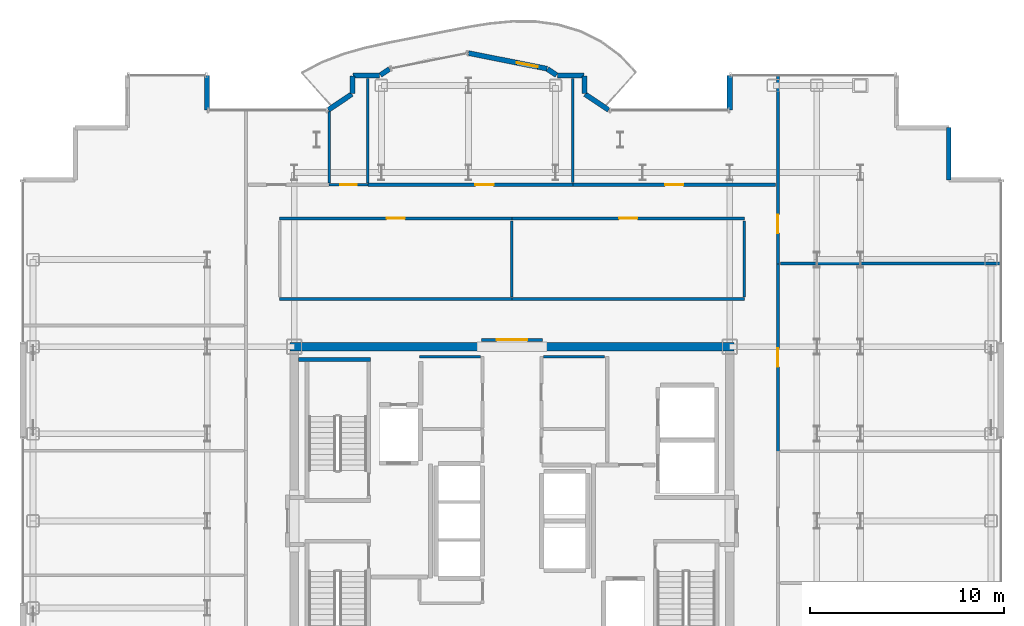
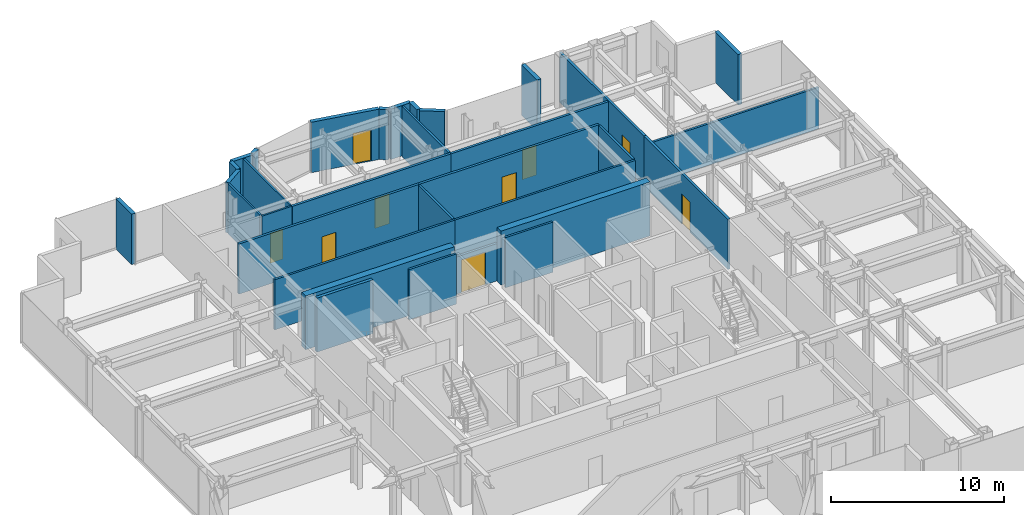
# One storey, part 19 of 22: 33 walls, 9 doors, 9 openings.
"""IFC4 building model written with IfcOpenShell, lengths in metres."""

import ifcopenshell
import ifcopenshell.guid

model = None  # the IFC model being written
_history = None  # IfcOwnerHistory: only IFC2X3 demands one
_inside = {}  # id of a spatial element -> (the spatial element, [elements in it])
_under = {}  # id of a project, library or spatial element -> (it, [spatial elements below it])
_declared = {}  # id of a project -> (the project, [libraries it declares])
_typed = {}  # id of a type object -> (the type object, [elements of that type])
_made_of = {}  # id of a material, layer set ... -> (it, [elements and type objects made of it])


def new_model(schema):
    """Start an empty IFC model of exactly this schema.

    Asked for "IFC4X3", IfcOpenShell would pick the latest addendum, in which some entities
    have other attributes; the version numbers below select the first issue.
    IFC2X3 requires an IfcOwnerHistory on every rooted entity: one is made here for all.
    """
    global model, _history
    if schema == "IFC4X3":
        model = ifcopenshell.file(schema_version=(4, 3, 0, 0))
    else:
        model = ifcopenshell.file(schema=schema)
    _inside.clear()
    _under.clear()
    _declared.clear()
    _typed.clear()
    _made_of.clear()
    _history = None
    if model.schema == "IFC2X3":
        org = make("IfcOrganization", Name="unknown")
        user = make(
            "IfcPersonAndOrganization",
            ThePerson=make("IfcPerson", FamilyName="unknown"),
            TheOrganization=org,
        )
        app = make(
            "IfcApplication",
            ApplicationDeveloper=org,
            Version="unknown",
            ApplicationFullName="unknown",
            ApplicationIdentifier="unknown",
        )
        _history = make(
            "IfcOwnerHistory",
            OwningUser=user,
            OwningApplication=app,
            ChangeAction="ADDED",
            CreationDate=0,
        )
    return model


def make(cls, **values):
    """One entity of the class cls with the attributes given. An attribute that is None is left unset."""
    return model.create_entity(
        cls, **{name: value for name, value in values.items() if value is not None}
    )


def rooted(cls, **values):
    """An entity with a GlobalId (a new one), such as an element, a storey or a relation."""
    return make(cls, GlobalId=ifcopenshell.guid.new(), OwnerHistory=_history, **values)


def si_unit(unit_type, name, prefix=None):
    """IfcSIUnit, for example si_unit("LENGTHUNIT", "METRE", prefix="MILLI")."""
    return make("IfcSIUnit", UnitType=unit_type, Prefix=prefix, Name=name)


def assignment(units):
    """IfcUnitAssignment: the units of a project."""
    return None if units is None else make("IfcUnitAssignment", Units=units)


def point(xyz):
    """IfcCartesianPoint."""
    return None if xyz is None else make("IfcCartesianPoint", Coordinates=xyz)


def direction(xyz):
    """IfcDirection."""
    return None if xyz is None else make("IfcDirection", DirectionRatios=xyz)


def frame(location, z_axis=None, x_axis=None):
    """IfcAxis2Placement3D, a coordinate frame: its origin and axes. An axis left out is left unset."""
    return make(
        "IfcAxis2Placement3D",
        Location=point(location),
        Axis=direction(z_axis),
        RefDirection=direction(x_axis),
    )


def frame_2d(location, x_axis=None):
    """IfcAxis2Placement2D, a coordinate frame in the plane: its origin and x axis."""
    return make(
        "IfcAxis2Placement2D", Location=point(location), RefDirection=direction(x_axis)
    )


def origin():
    """The frame at (0, 0, 0) with its axes left unset."""
    return frame((0.0, 0.0, 0.0))


def place(relative_to, where):
    """IfcLocalPlacement: puts the frame where relative to a parent placement (None: the world)."""
    return make(
        "IfcLocalPlacement", PlacementRelTo=relative_to, RelativePlacement=where
    )


def context(
    kind, dimensions, precision=None, world=None, true_north=None, identifier=None
):
    """IfcGeometricRepresentationContext, for example the 3D "Model" context."""
    return make(
        "IfcGeometricRepresentationContext",
        ContextIdentifier=identifier,
        ContextType=kind,
        CoordinateSpaceDimension=dimensions,
        Precision=precision,
        WorldCoordinateSystem=world,
        TrueNorth=true_north,
    )


def subcontext(parent, identifier, kind, view, scale=None):
    """IfcGeometricRepresentationSubContext, for example "Body" below "Model"."""
    return make(
        "IfcGeometricRepresentationSubContext",
        ContextIdentifier=identifier,
        ContextType=kind,
        ParentContext=parent,
        TargetScale=scale,
        TargetView=view,
    )


def project(units=None, contexts=None):
    """IfcProject with its units and contexts."""
    return rooted(
        "IfcProject",
        Name="project",
        RepresentationContexts=contexts,
        UnitsInContext=assignment(units),
    )


def spatial(cls, under=None, at=None, **own):
    """A site, building, storey or space (cls), placed at a placement, below another one or the project."""
    s = rooted(cls, ObjectPlacement=at, **own)
    if under is not None:
        _under.setdefault(under.id(), (under, []))[1].append(s)
    return s


def profile(cls, at=None, kind="AREA", **sizes):
    """A parametric profile (cls). Its sizes go by their IFC names, for example OverallWidth=200.0."""
    return make(cls, ProfileType=kind, Position=at, **sizes)


def rectangle(**sizes):
    """IfcRectangleProfileDef."""
    return profile("IfcRectangleProfileDef", **sizes)


def extrude(swept, where, along, depth):
    """IfcExtrudedAreaSolid: the profile swept, set in the frame where, extruded along a direction by depth."""
    return make(
        "IfcExtrudedAreaSolid",
        SweptArea=swept,
        Position=where,
        ExtrudedDirection=direction(along),
        Depth=depth,
    )


def shape(context_of_items, identifier, shape_type, items):
    """IfcShapeRepresentation: the items that make up one representation, for example the "Body"."""
    return make(
        "IfcShapeRepresentation",
        ContextOfItems=context_of_items,
        RepresentationIdentifier=identifier,
        RepresentationType=shape_type,
        Items=items,
    )


def source(mapping_origin, context_of_items, identifier, shape_type, items):
    """IfcRepresentationMap: a shape defined once, which mapped items show again and again."""
    return make(
        "IfcRepresentationMap",
        MappingOrigin=mapping_origin,
        MappedRepresentation=shape(context_of_items, identifier, shape_type, items),
    )


def transform(
    local_origin,
    x_axis=None,
    y_axis=None,
    z_axis=None,
    scale=None,
    scale2=None,
    scale3=None,
    uniform=True,
):
    """IfcCartesianTransformationOperator3D, or its non-uniform kind. x_axis, y_axis, z_axis: its Axis1, 2, 3."""
    if uniform:
        return make(
            "IfcCartesianTransformationOperator3D",
            Axis1=direction(x_axis),
            Axis2=direction(y_axis),
            LocalOrigin=point(local_origin),
            Scale=scale,
            Axis3=direction(z_axis),
        )
    return make(
        "IfcCartesianTransformationOperator3DnonUniform",
        Axis1=direction(x_axis),
        Axis2=direction(y_axis),
        LocalOrigin=point(local_origin),
        Scale=scale,
        Axis3=direction(z_axis),
        Scale2=scale2,
        Scale3=scale3,
    )


def mapped(mapping_source, mapping_target):
    """IfcMappedItem: shows the shape of a source again, moved by a transform."""
    return make(
        "IfcMappedItem", MappingSource=mapping_source, MappingTarget=mapping_target
    )


def material(Name=None, Category=None):
    """IfcMaterial."""
    return make("IfcMaterial", Name=Name, Category=Category)


def layer(
    of_material, thickness, ventilated=None, Name=None, Category=None, Priority=None
):
    """IfcMaterialLayer: one layer of a wall or slab, of a material (None: an air gap)."""
    return make(
        "IfcMaterialLayer",
        Material=of_material,
        LayerThickness=thickness,
        IsVentilated=ventilated,
        Name=Name,
        Category=Category,
        Priority=Priority,
    )


def layer_set(layers, Name=None):
    """IfcMaterialLayerSet."""
    return make("IfcMaterialLayerSet", MaterialLayers=layers, LayerSetName=Name)


def made_of(thing, what):
    """Note that an element or type object is made of a material, layer set ...; save() writes the relation."""
    if what is not None:
        _made_of.setdefault(what.id(), (what, []))[1].append(thing)
    return thing


def type_object(cls, material=None, **own):
    """A type object (cls), such as IfcWallType, which elements share."""
    return made_of(rooted(cls, **own), material)


def element(
    cls,
    number,
    at=None,
    inside=None,
    cuts=None,
    type_object=None,
    material=None,
    context=None,
    identifier="Body",
    shape_type=None,
    held_by="IfcProductDefinitionShape",
    body=None,
    shapes=None,
    **own,
):
    """One element of the class cls, such as IfcWall. Its Tag is "e" and its number.

    at: its placement. inside: the storey or other place that contains it. cuts: it is an
    opening in that element (IfcRelVoidsElement). A single representation is given by context,
    identifier, shape_type and body (its items); several are given by shapes. held_by: the class
    of the entity that holds the representations. save() writes the other relations.
    """
    e = rooted(cls, Tag="e%d" % number, ObjectPlacement=at, **own)
    if body is not None:
        shapes = [shape(context, identifier, shape_type, body)]
    if shapes is not None:
        e.Representation = make(held_by, Representations=shapes)
    if inside is not None:
        _inside.setdefault(inside.id(), (inside, []))[1].append(e)
    if cuts is not None:
        rooted(
            "IfcRelVoidsElement", RelatingBuildingElement=cuts, RelatedOpeningElement=e
        )
    if type_object is not None:
        _typed.setdefault(type_object.id(), (type_object, []))[1].append(e)
    return made_of(e, material)


def fill(opening, filler):
    """IfcRelFillsElement: the door or window that sits in an opening."""
    return rooted(
        "IfcRelFillsElement",
        RelatingOpeningElement=opening,
        RelatedBuildingElement=filler,
    )


def aggregate(whole, parts):
    """IfcRelAggregates: a whole, such as a stair, and the parts it consists of."""
    return rooted("IfcRelAggregates", RelatingObject=whole, RelatedObjects=parts)


def save(model, path):
    """Write the relations noted so far, then the file.

    IfcRelAggregates (storeys below a building ...), IfcRelContainedInSpatialStructure (elements
    in a storey), IfcRelDefinesByType, IfcRelAssociatesMaterial and IfcRelDeclares: one each for
    every whole, place, type object, material and project.
    """
    for whole, parts in _under.values():
        aggregate(whole, parts)
    for where, things in _inside.values():
        rooted(
            "IfcRelContainedInSpatialStructure",
            RelatedElements=things,
            RelatingStructure=where,
        )
    for kind, things in _typed.values():
        rooted("IfcRelDefinesByType", RelatedObjects=things, RelatingType=kind)
    for what, things in _made_of.values():
        rooted("IfcRelAssociatesMaterial", RelatedObjects=things, RelatingMaterial=what)
    for by, libraries in _declared.values():
        rooted("IfcRelDeclares", RelatingContext=by, RelatedDefinitions=libraries)
    model.write(path)


model = new_model("IFC4")

# Units and contexts
model_context = context("Model", 3, precision=1e-05, world=origin(), true_north=direction((0.0, 1.0)))
body_context = subcontext(model_context, "Body", "Model", "MODEL_VIEW")
ifc_project = project(units=[si_unit("LENGTHUNIT", "METRE"), si_unit("AREAUNIT", "SQUARE_METRE"), si_unit("VOLUMEUNIT", "CUBIC_METRE"), si_unit("PLANEANGLEUNIT", "RADIAN"), si_unit("MASSUNIT", "GRAM", prefix="KILO")], contexts=[model_context])

# Site, building, storey
site_placement = place(None, origin())
site = spatial("IfcSite", under=ifc_project, at=site_placement, CompositionType="ELEMENT")
building_placement = place(site_placement, origin())
building = spatial("IfcBuilding", under=site, at=building_placement, Name="Nefas-Gora Pilgrimage Tower", CompositionType="ELEMENT")
storey_placement = place(building_placement, frame((0.0, 0.0, 218.0)))
storey = spatial("IfcBuildingStorey", under=building, at=storey_placement, Name="L54", CompositionType="ELEMENT", Elevation=218.0)

# Walls
ifc_material_1 = material(Name="Concrete C50/60", Category="concrete")
ifc_layer_1 = layer(ifc_material_1, 0.449951171875)
ifc_layer_set_1 = layer_set([ifc_layer_1], Name="Concrete C50/60")
wall_type_1 = type_object("IfcWallType", Name="SW-CORE-450", PredefinedType="SHEAR", material=ifc_layer_set_1)
shared_shape_1 = source(origin(), body_context, "Body", "SweptSolid", [
    extrude(rectangle(XDim=9.925048828125, YDim=0.449951171875, at=frame_2d((4.96240234375, 0.0))), origin(), (0.0, 0.0, 1.0), 3.800048828125),
])
for number, where, z_axis, x_axis, name in (
    (1, (-11.47509765625, 9.0, 0.0), (0.0, 0.0, 1.0), (1.0, 0.0, 0.0), "L54 Core Shear Wall N-West"),
    (2, (1.550048828125, 9.0, 0.0), (0.0, 0.0, 1.0), (1.0, 0.0, 0.0), "L54 Core Shear Wall N-East"),
):
    element("IfcWall", number, at=place(storey_placement, frame(where, z_axis=z_axis, x_axis=x_axis)), inside=storey, type_object=wall_type_1, Name=name, PredefinedType="SHEAR", context=body_context, shape_type="MappedRepresentation", body=[
        mapped(shared_shape_1, transform((0.0, 0.0, 0.0), x_axis=(1.0, 0.0, 0.0), y_axis=(0.0, 1.0, 0.0), z_axis=(0.0, 0.0, 1.0), scale=1.0)),
    ])
ifc_material_2 = material(Name="Precast concrete C40/50", Category="concrete")
ifc_layer_2 = layer(ifc_material_2, 0.260009765625)
ifc_layer_set_2 = layer_set([ifc_layer_2], Name="Precast concrete C40/50")
wall_type_2 = type_object("IfcWallType", Name="EW-PORTAL-260", PredefinedType="SOLIDWALL", material=ifc_layer_set_2)
shared_shape_2 = source(origin(), body_context, "Body", "SweptSolid", [
    extrude(rectangle(XDim=1.800048828125, YDim=0.260009765625, at=frame_2d((0.89990234375, 0.0))), origin(), (0.0, 0.0, 1.0), 3.550048828125),
])
for number, where, z_axis, x_axis, name in (
    (3, (11.25, 23.02001953125, 0.0), (0.0, 0.0, 1.0), (0.0, -1.0, 0.0), "L54 Lobe Shoulder Precast Spandrel Pier 14"),
    (4, (-15.75, 21.219970703125, 0.0), (0.0, 0.0, 1.0), (0.0, 1.0, 0.0), "L54 Lobe Shoulder Precast Spandrel Pier 24"),
):
    element("IfcWall", number, at=place(storey_placement, frame(where, z_axis=z_axis, x_axis=x_axis)), inside=storey, type_object=wall_type_2, Name=name, PredefinedType="SOLIDWALL", context=body_context, shape_type="MappedRepresentation", body=[
        mapped(shared_shape_2, transform((0.0, 0.0, 0.0), x_axis=(1.0, 0.0, 0.0), y_axis=(0.0, 1.0, 0.0), z_axis=(0.0, 0.0, 1.0), scale=1.0)),
    ])
ifc_material_3 = material(Name="Precast concrete C45/55", Category="concrete")
ifc_layer_3 = layer(ifc_material_3, 0.239990234375)
ifc_layer_set_3 = layer_set([ifc_layer_3], Name="Precast concrete C45/55")
wall_type_3 = type_object("IfcWallType", Name="EW-SERR-240", PredefinedType="SHEAR", material=ifc_layer_set_3)
shared_shape_3 = source(origin(), body_context, "Body", "SweptSolid", [
    extrude(rectangle(XDim=2.699951171875, YDim=0.239990234375, at=frame_2d((1.35009765625, 0.0))), origin(), (0.0, 0.0, 1.0), 3.550048828125),
])
wall_1_placement = place(storey_placement, frame((22.570068359375, 17.6201171875, 0.0), z_axis=(0.0, 0.0, 1.0), x_axis=(0.0, 1.0, 0.0)))
element("IfcWall", 5, at=wall_1_placement, inside=storey, type_object=wall_type_3, Name="L54 Serrated Corner Shear Pier Wall 11", PredefinedType="SHEAR", context=body_context, shape_type="MappedRepresentation", body=[
    mapped(shared_shape_3, transform((0.0, 0.0, 0.0), x_axis=(1.0, 0.0, 0.0), y_axis=(0.0, 1.0, 0.0), z_axis=(0.0, 0.0, 1.0), scale=1.0)),
])
shared_shape_4 = source(origin(), body_context, "Body", "SweptSolid", [
    extrude(rectangle(XDim=1.468994140625, YDim=0.260009765625, at=frame_2d((0.734375, 0.0))), origin(), (0.0, 0.0, 1.0), 3.550048828125),
])
for number, where, z_axis, x_axis, name in (
    (6, (4.99462890625, 21.235595703125, 0.0), (0.0, 0.0, 1.0), (-0.831461760506, 0.555581983884, 0.0), "L54 Lobe Shoulder Precast Spandrel Pier 15"),
    (7, (-8.273193359375, 22.0517578125, 0.0), (0.0, 0.0, 1.0), (-0.831461760506, -0.555581983884, 0.0), "L54 Lobe Shoulder Precast Spandrel Pier 23"),
):
    element("IfcWall", number, at=place(storey_placement, frame(where, z_axis=z_axis, x_axis=x_axis)), inside=storey, type_object=wall_type_2, Name=name, PredefinedType="SOLIDWALL", context=body_context, shape_type="MappedRepresentation", body=[
        mapped(shared_shape_4, transform((0.0, 0.0, 0.0), x_axis=(1.0, 0.0, 0.0), y_axis=(0.0, 1.0, 0.0), z_axis=(0.0, 0.0, 1.0), scale=1.0)),
    ])
shared_shape_5 = source(origin(), body_context, "Body", "SweptSolid", [
    extrude(rectangle(XDim=0.896728515625, YDim=0.260009765625, at=frame_2d((0.4482421875, 0.0))), origin(), (0.0, 0.0, 1.0), 3.550048828125),
])
for number, where, z_axis, x_axis, name in (
    (8, (3.75, 22.09521484375, 0.0), (0.0, 0.0, 1.0), (0.0, 1.0, 0.0), "L54 Lobe Shoulder Precast Spandrel Pier 16"),
    (9, (-8.25, 22.991943359375, 0.0), (0.0, 0.0, 1.0), (0.0, -1.0, 0.0), "L54 Lobe Shoulder Precast Spandrel Pier 22"),
):
    element("IfcWall", number, at=place(storey_placement, frame(where, z_axis=z_axis, x_axis=x_axis)), inside=storey, type_object=wall_type_2, Name=name, PredefinedType="SOLIDWALL", context=body_context, shape_type="MappedRepresentation", body=[
        mapped(shared_shape_5, transform((0.0, 0.0, 0.0), x_axis=(1.0, 0.0, 0.0), y_axis=(0.0, 1.0, 0.0), z_axis=(0.0, 0.0, 1.0), scale=1.0)),
    ])
shared_shape_6 = source(origin(), body_context, "Body", "SweptSolid", [
    extrude(rectangle(XDim=1.369873046875, YDim=0.260009765625, at=frame_2d((0.68505859375, 0.0))), origin(), (0.0, 0.0, 1.0), 3.550048828125),
])
for number, where, z_axis, x_axis, name in (
    (10, (3.721923828125, 23.02001953125, 0.0), (0.0, 0.0, 1.0), (-1.0, 0.0, 0.0), "L54 Lobe Shoulder Precast Spandrel Pier 17"),
    (11, (-6.85205078125, 23.02001953125, 0.0), (0.0, 0.0, 1.0), (-1.0, 0.0, 0.0), "L54 Lobe Shoulder Precast Spandrel Pier 21"),
):
    element("IfcWall", number, at=place(storey_placement, frame(where, z_axis=z_axis, x_axis=x_axis)), inside=storey, type_object=wall_type_2, Name=name, PredefinedType="SOLIDWALL", context=body_context, shape_type="MappedRepresentation", body=[
        mapped(shared_shape_6, transform((0.0, 0.0, 0.0), x_axis=(1.0, 0.0, 0.0), y_axis=(0.0, 1.0, 0.0), z_axis=(0.0, 0.0, 1.0), scale=1.0)),
    ])
shared_shape_7 = source(origin(), body_context, "Body", "SweptSolid", [
    extrude(rectangle(XDim=0.5654296875, YDim=0.260009765625, at=frame_2d((0.28271484375, 0.0))), origin(), (0.0, 0.0, 1.0), 3.550048828125),
])
for number, where, z_axis, x_axis, name in (
    (12, (2.30078125, 23.03564453125, 0.0), (0.0, 0.0, 1.0), (-0.831651492666, 0.555297933317, 0.0), "L54 Lobe Shoulder Precast Spandrel Pier 18"),
    (13, (-6.33056640625, 23.349609375, 0.0), (0.0, 0.0, 1.0), (-0.831651492666, -0.555297933317, 0.0), "L54 Lobe Shoulder Precast Spandrel Pier 20"),
):
    element("IfcWall", number, at=place(storey_placement, frame(where, z_axis=z_axis, x_axis=x_axis)), inside=storey, type_object=wall_type_2, Name=name, PredefinedType="SOLIDWALL", context=body_context, shape_type="MappedRepresentation", body=[
        mapped(shared_shape_7, transform((0.0, 0.0, 0.0), x_axis=(1.0, 0.0, 0.0), y_axis=(0.0, 1.0, 0.0), z_axis=(0.0, 0.0, 1.0), scale=1.0)),
    ])

# Wall, opening, door
shared_shape_8 = source(origin(), body_context, "Body", "SweptSolid", [
    extrude(rectangle(XDim=4.136962890625, YDim=0.260009765625, at=frame_2d((2.068359375, 0.0))), origin(), (0.0, 0.0, 1.0), 3.550048828125),
])
wall_2_placement = place(storey_placement, frame((1.807373046875, 23.365234375, 0.0), z_axis=(0.0, 0.0, 1.0), x_axis=(-0.980782170794, 0.195105954428, 0.0)))
wall_2 = element("IfcWall", 14, at=wall_2_placement, inside=storey, type_object=wall_type_2, Name="L54 Insulated Terrace Portal Wall 19", PredefinedType="SOLIDWALL", context=body_context, shape_type="MappedRepresentation", body=[
    mapped(shared_shape_8, transform((0.0, 0.0, 0.0), x_axis=(1.0, 0.0, 0.0), y_axis=(0.0, 1.0, 0.0), z_axis=(0.0, 0.0, 1.0), scale=1.0)),
])
opening_1_placement = place(wall_2_placement, frame((0.48779296875, 0.0, 0.0)))
opening_1 = element("IfcOpeningElement", 15, at=opening_1_placement, cuts=wall_2, Name="Opening ED-B1", PredefinedType="OPENING", context=body_context, shape_type="SweptSolid", body=[
    extrude(rectangle(XDim=1.10009765625, YDim=2.199951171875, at=frame_2d((0.550048828125, 1.10009765625))), frame((0.0, 0.139892578125, 0.0), z_axis=(0.0, -1.0, 0.0), x_axis=(1.0, 0.0, 0.0)), (0.0, 0.0, 1.0), 0.280029296875),
])
ifc_material_4 = material(Name="Thermally broken glazed aluminium balcony door", Category="aluminium")
door_type_1 = type_object("IfcDoorType", Name="DR-EXT-BAL-1100", OperationType="NOTDEFINED", PredefinedType="DOOR", material=ifc_material_4)
shared_shape_9 = source(origin(), body_context, "Body", "SweptSolid", [
    extrude(rectangle(XDim=1.10009765625, YDim=2.199951171875, at=frame_2d((0.550048828125, 1.10009765625))), frame((0.0, 0.02490234375, 0.0), z_axis=(0.0, -1.0, 0.0), x_axis=(1.0, 0.0, 0.0)), (0.0, 0.0, 1.0), 0.050048828125),
])
door_1_placement = place(opening_1_placement, origin())
door_1 = element("IfcDoor", 16, at=door_1_placement, inside=storey, type_object=door_type_1, Name="L54 Exterior Door (L54 N Lobe Wave Balcony)", OperationType="SINGLE_SWING_LEFT", OverallHeight=2.199951171875, OverallWidth=1.10009765625, PredefinedType="DOOR", context=body_context, shape_type="MappedRepresentation", body=[
    mapped(shared_shape_9, transform((0.0, 0.0, 0.0), x_axis=(1.0, 0.0, 0.0), y_axis=(0.0, 1.0, 0.0), z_axis=(0.0, 0.0, 1.0), scale=1.0)),
])
fill(opening_1, door_1)

# Wall
ifc_material_5 = material(Name="Concrete C45/55", Category="concrete")
ifc_layer_4 = layer(ifc_material_5, 0.199951171875)
ifc_layer_set_4 = layer_set([ifc_layer_4], Name="Concrete C45/55")
wall_type_4 = type_object("IfcWallType", Name="IW-STAIR-200", PredefinedType="SOLIDWALL", material=ifc_layer_set_4)
shared_shape_10 = source(origin(), body_context, "Body", "SweptSolid", [
    extrude(rectangle(XDim=3.72998046875, YDim=0.199951171875, at=frame_2d((1.864990234375, 0.0))), origin(), (0.0, 0.0, 1.0), 3.800048828125),
])
wall_3_placement = place(storey_placement, frame((-7.300048828125, 8.35009765625, 0.0), z_axis=(0.0, 0.0, 1.0), x_axis=(-1.0, 0.0, 0.0)))
element("IfcWall", 17, at=wall_3_placement, inside=storey, type_object=wall_type_4, Name="L54 Stairwell Shear Wall ST-01-far", PredefinedType="SOLIDWALL", context=body_context, shape_type="MappedRepresentation", body=[
    mapped(shared_shape_10, transform((0.0, 0.0, 0.0), x_axis=(1.0, 0.0, 0.0), y_axis=(0.0, 1.0, 0.0), z_axis=(0.0, 0.0, 1.0), scale=1.0)),
])

# Wall, opening, door
ifc_material_6 = material(Name="Moisture-resistant fire-rated gypsum partition")
ifc_layer_5 = layer(ifc_material_6, 0.1201171875)
ifc_layer_set_5 = layer_set([ifc_layer_5], Name="Moisture-resistant fire-rated gypsum partition")
wall_type_5 = type_object("IfcWallType", Name="IW-WET-120", PredefinedType="PLUMBINGWALL", material=ifc_layer_set_5)
shared_shape_11 = source(origin(), body_context, "Body", "SweptSolid", [
    extrude(rectangle(XDim=2.02001953125, YDim=0.1201171875, at=frame_2d((1.010009765625, 0.0))), origin(), (0.0, 0.0, 1.0), 3.534912109375),
])
wall_4_placement = place(storey_placement, frame((-9.4599609375, 17.3701171875, 0.0), z_axis=(0.0, 0.0, 1.0), x_axis=(1.0, 0.0, 0.0)))
wall_4 = element("IfcWall", 18, at=wall_4_placement, inside=storey, type_object=wall_type_5, Name="L54 Accessible Unisex WC Partition Wall 29", PredefinedType="PLUMBINGWALL", context=body_context, shape_type="MappedRepresentation", body=[
    mapped(shared_shape_11, transform((0.0, 0.0, 0.0), x_axis=(1.0, 0.0, 0.0), y_axis=(0.0, 1.0, 0.0), z_axis=(0.0, 0.0, 1.0), scale=1.0)),
])
opening_2_placement = place(wall_4_placement, frame((0.5849609375, 0.0, 0.0)))
opening_2 = element("IfcOpeningElement", 19, at=opening_2_placement, cuts=wall_4, Name="Opening ID-BT1", PredefinedType="OPENING", context=body_context, shape_type="SweptSolid", body=[
    extrude(rectangle(XDim=0.85009765625, YDim=2.10009765625, at=frame_2d((0.425048828125, 1.050048828125))), frame((0.0, 0.070068359375, 0.0), z_axis=(0.0, -1.0, 0.0), x_axis=(1.0, 0.0, 0.0)), (0.0, 0.0, 1.0), 0.14013671875),
])
ifc_material_7 = material(Name="Moisture-resistant fire-rated timber door", Category="wood")
door_type_2 = type_object("IfcDoorType", Name="DR-INT-BATH-850", OperationType="NOTDEFINED", PredefinedType="DOOR", material=ifc_material_7)
shared_shape_12 = source(origin(), body_context, "Body", "SweptSolid", [
    extrude(rectangle(XDim=0.85009765625, YDim=2.10009765625, at=frame_2d((0.425048828125, 1.050048828125))), frame((0.0, 0.02490234375, 0.0), z_axis=(0.0, -1.0, 0.0), x_axis=(1.0, 0.0, 0.0)), (0.0, 0.0, 1.0), 0.050048828125),
])
door_2_placement = place(opening_2_placement, origin())
door_2 = element("IfcDoor", 20, at=door_2_placement, inside=storey, type_object=door_type_2, Name="L54 Accessible Unisex WC Door 12", OperationType="SINGLE_SWING_RIGHT", OverallHeight=2.10009765625, OverallWidth=0.85009765625, PredefinedType="DOOR", context=body_context, shape_type="MappedRepresentation", body=[
    mapped(shared_shape_12, transform((0.0, 0.0, 0.0), x_axis=(1.0, 0.0, 0.0), y_axis=(0.0, 1.0, 0.0), z_axis=(0.0, 0.0, 1.0), scale=1.0)),
])
fill(opening_2, door_2)

# Walls
ifc_material_8 = material(Name="Gypsum twin-stud partition")
ifc_layer_6 = layer(ifc_material_8, 0.139892578125)
ifc_layer_set_6 = layer_set([ifc_layer_6], Name="Gypsum twin-stud partition")
wall_type_6 = type_object("IfcWallType", Name="IW-UNIT-140", PredefinedType="PARTITIONING", material=ifc_layer_set_6)
shared_shape_13 = source(origin(), body_context, "Body", "SweptSolid", [
    extrude(rectangle(XDim=3.150146484375, YDim=0.139892578125, at=frame_2d((1.5751953125, 0.0))), origin(), (0.0, 0.0, 1.0), 3.534912109375),
])
for number, where, z_axis, x_axis, name in (
    (21, (-4.7900390625, 8.47998046875, 0.0), (0.0, 0.0, 1.0), (1.0, 0.0, 0.0), "L54 Archival Supply Store Partition Wall 21"),
    (22, (1.639892578125, 8.47998046875, 0.0), (0.0, 0.0, 1.0), (1.0, 0.0, 0.0), "L54 Amenity Supply Store Partition Wall 25"),
):
    element("IfcWall", number, at=place(storey_placement, frame(where, z_axis=z_axis, x_axis=x_axis)), inside=storey, type_object=wall_type_6, Name=name, PredefinedType="PARTITIONING", context=body_context, shape_type="MappedRepresentation", body=[
        mapped(shared_shape_13, transform((0.0, 0.0, 0.0), x_axis=(1.0, 0.0, 0.0), y_axis=(0.0, 1.0, 0.0), z_axis=(0.0, 0.0, 1.0), scale=1.0)),
    ])
shared_shape_14 = source(origin(), body_context, "Body", "SweptSolid", [
    extrude(rectangle(XDim=5.380126953125, YDim=0.1201171875, at=frame_2d((2.68994140625, 0.0))), origin(), (0.0, 0.0, 1.0), 3.534912109375),
])
wall_5_placement = place(storey_placement, frame((-7.449951171875, 17.469970703125, 0.0), z_axis=(0.0, 0.0, 1.0), x_axis=(0.0, 1.0, 0.0)))
element("IfcWall", 23, at=wall_5_placement, inside=storey, type_object=wall_type_5, Name="L54 Accessible Unisex WC Partition Wall 30", PredefinedType="PLUMBINGWALL", context=body_context, shape_type="MappedRepresentation", body=[
    mapped(shared_shape_14, transform((0.0, 0.0, 0.0), x_axis=(1.0, 0.0, 0.0), y_axis=(0.0, 1.0, 0.0), z_axis=(0.0, 0.0, 1.0), scale=1.0)),
])
shared_shape_15 = source(origin(), body_context, "Body", "SweptSolid", [
    extrude(rectangle(XDim=3.686767578125, YDim=0.1201171875, at=frame_2d((1.84326171875, 0.0))), origin(), (0.0, 0.0, 1.0), 3.534912109375),
])
wall_6_placement = place(storey_placement, frame((-9.449951171875, 17.469970703125, 0.0), z_axis=(0.0, 0.0, 1.0), x_axis=(0.0, 1.0, 0.0)))
element("IfcWall", 24, at=wall_6_placement, inside=storey, type_object=wall_type_5, Name="L54 Accessible Unisex WC Partition Wall 31", PredefinedType="PLUMBINGWALL", context=body_context, shape_type="MappedRepresentation", body=[
    mapped(shared_shape_15, transform((0.0, 0.0, 0.0), x_axis=(1.0, 0.0, 0.0), y_axis=(0.0, 1.0, 0.0), z_axis=(0.0, 0.0, 1.0), scale=1.0)),
])
shared_shape_16 = source(origin(), body_context, "Body", "SweptSolid", [
    extrude(rectangle(XDim=3.929931640625, YDim=0.139892578125, at=frame_2d((1.96484375, 0.0))), origin(), (0.0, 0.0, 1.0), 3.534912109375),
])
for number, where, z_axis, x_axis, name in (
    (25, (-0.010009765625, 11.580078125, 0.0), (0.0, 0.0, 1.0), (0.0, 1.0, 0.0), "L54 Pilgrim Contemplative Lounge Partition Wall 56"),
    (26, (12.0, 11.580078125, 0.0), (0.0, 0.0, 1.0), (0.0, 1.0, 0.0), "L54 Pilgrim Contemplative Lounge Partition Wall 59"),
):
    element("IfcWall", number, at=place(storey_placement, frame(where, z_axis=z_axis, x_axis=x_axis)), inside=storey, type_object=wall_type_6, Name=name, PredefinedType="PARTITIONING", context=body_context, shape_type="MappedRepresentation", body=[
        mapped(shared_shape_16, transform((0.0, 0.0, 0.0), x_axis=(1.0, 0.0, 0.0), y_axis=(0.0, 1.0, 0.0), z_axis=(0.0, 0.0, 1.0), scale=1.0)),
    ])

# Wall, opening, door
ifc_material_9 = material(Name="Gypsum acoustic stud partition")
ifc_layer_7 = layer(ifc_material_9, 0.159912109375)
ifc_layer_set_7 = layer_set([ifc_layer_7], Name="Gypsum acoustic stud partition")
wall_type_7 = type_object("IfcWallType", Name="IW-CORR-160", PredefinedType="PARTITIONING", material=ifc_layer_set_7)
shared_shape_17 = source(origin(), body_context, "Body", "SweptSolid", [
    extrude(rectangle(XDim=3.16015625, YDim=0.159912109375, at=frame_2d((1.580078125, 0.0))), origin(), (0.0, 0.0, 1.0), 2.625),
])
wall_7_placement = place(storey_placement, frame((-1.580078125, 9.35009765625, 0.0), z_axis=(0.0, 0.0, 1.0), x_axis=(1.0, 0.0, 0.0)))
wall_7 = element("IfcWall", 27, at=wall_7_placement, inside=storey, type_object=wall_type_7, Name="L54 Central Lift Lobby North Portal Wall 15", PredefinedType="PARTITIONING", context=body_context, shape_type="MappedRepresentation", body=[
    mapped(shared_shape_17, transform((0.0, 0.0, 0.0), x_axis=(1.0, 0.0, 0.0), y_axis=(0.0, 1.0, 0.0), z_axis=(0.0, 0.0, 1.0), scale=1.0)),
])
opening_3_placement = place(wall_7_placement, frame((0.780029296875, 0.0, 0.0)))
opening_3 = element("IfcOpeningElement", 28, at=opening_3_placement, cuts=wall_7, Name="Opening ID-HL1", PredefinedType="OPENING", context=body_context, shape_type="SweptSolid", body=[
    extrude(rectangle(XDim=1.60009765625, YDim=2.300048828125, at=frame_2d((0.800048828125, 1.14990234375))), frame((0.0, 0.08984375, 0.0), z_axis=(0.0, -1.0, 0.0), x_axis=(1.0, 0.0, 0.0)), (0.0, 0.0, 1.0), 0.179931640625),
])
ifc_material_10 = material(Name="Double acoustic timber assembly hall door", Category="wood")
door_type_3 = type_object("IfcDoorType", Name="DR-INT-HALL-1600", OperationType="DOUBLE_DOOR_SINGLE_SWING", PredefinedType="DOOR", material=ifc_material_10)
shared_shape_18 = source(origin(), body_context, "Body", "SweptSolid", [
    extrude(rectangle(XDim=1.60009765625, YDim=2.300048828125, at=frame_2d((0.800048828125, 1.14990234375))), frame((0.0, 0.02490234375, 0.0), z_axis=(0.0, -1.0, 0.0), x_axis=(1.0, 0.0, 0.0)), (0.0, 0.0, 1.0), 0.050048828125),
])
door_3_placement = place(opening_3_placement, origin())
door_3 = element("IfcDoor", 29, at=door_3_placement, inside=storey, type_object=door_type_3, Name="L54 Central Lift Lobby North Portal Door 5", OperationType="DOUBLE_DOOR_SINGLE_SWING", OverallHeight=2.300048828125, OverallWidth=1.60009765625, PredefinedType="DOOR", context=body_context, shape_type="MappedRepresentation", body=[
    mapped(shared_shape_18, transform((0.0, 0.0, 0.0), x_axis=(1.0, 0.0, 0.0), y_axis=(0.0, 1.0, 0.0), z_axis=(0.0, 0.0, 1.0), scale=1.0)),
])
fill(opening_3, door_3)

# Wall
shared_shape_19 = source(origin(), body_context, "Body", "SweptSolid", [
    extrude(rectangle(XDim=11.429931640625, YDim=0.139892578125, at=frame_2d((5.71484375, 0.0))), origin(), (0.0, 0.0, 1.0), 2.925048828125),
])
wall_8_placement = place(storey_placement, frame((13.860107421875, 13.297607421875, 0.0), z_axis=(0.0, 0.0, 1.0), x_axis=(1.0, 0.0, 0.0)))
element("IfcWall", 30, at=wall_8_placement, inside=storey, type_object=wall_type_6, Name="L54 Pilgrim Contemplative Lounge Partition Wall 48", PredefinedType="PARTITIONING", context=body_context, shape_type="MappedRepresentation", body=[
    mapped(shared_shape_19, transform((0.0, 0.0, 0.0), x_axis=(1.0, 0.0, 0.0), y_axis=(0.0, 1.0, 0.0), z_axis=(0.0, 0.0, 1.0), scale=1.0)),
])

# Wall, opening, door
shared_shape_20 = source(origin(), body_context, "Body", "SweptSolid", [
    extrude(rectangle(XDim=9.75244140625, YDim=0.159912109375, at=frame_2d((4.876220703125, 0.0))), origin(), (0.0, 0.0, 1.0), 3.534912109375),
])
wall_9_placement = place(storey_placement, frame((13.739990234375, 13.28759765625, 0.0), z_axis=(0.0, 0.0, 1.0), x_axis=(0.0, 1.0, 0.0)))
wall_9 = element("IfcWall", 31, at=wall_9_placement, inside=storey, type_object=wall_type_7, Name="L54 Pilgrim Contemplative Lounge Partition Wall 47", PredefinedType="PARTITIONING", context=body_context, shape_type="MappedRepresentation", body=[
    mapped(shared_shape_20, transform((0.0, 0.0, 0.0), x_axis=(1.0, 0.0, 0.0), y_axis=(0.0, 1.0, 0.0), z_axis=(0.0, 0.0, 1.0), scale=1.0)),
])
opening_4_placement = place(wall_9_placement, frame((1.586181640625, 0.0, 0.0)))
opening_4 = element("IfcOpeningElement", 32, at=opening_4_placement, cuts=wall_9, Name="Opening ID-GR1", PredefinedType="OPENING", context=body_context, shape_type="SweptSolid", body=[
    extrude(rectangle(XDim=0.949951171875, YDim=2.10009765625, at=frame_2d((0.47509765625, 1.050048828125))), frame((0.0, 0.08984375, 0.0), z_axis=(0.0, -1.0, 0.0), x_axis=(1.0, 0.0, 0.0)), (0.0, 0.0, 1.0), 0.179931640625),
])
ifc_material_11 = material(Name="Solid core oak fire-rated guest entrance door")
door_type_4 = type_object("IfcDoorType", Name="DR-INT-GUEST-950", OperationType="NOTDEFINED", PredefinedType="DOOR", material=ifc_material_11)
shared_shape_21 = source(origin(), body_context, "Body", "SweptSolid", [
    extrude(rectangle(XDim=0.949951171875, YDim=2.10009765625, at=frame_2d((0.47509765625, 1.050048828125))), frame((0.0, 0.02490234375, 0.0), z_axis=(0.0, -1.0, 0.0), x_axis=(1.0, 0.0, 0.0)), (0.0, 0.0, 1.0), 0.050048828125),
])
door_4_placement = place(opening_4_placement, origin())
door_4 = element("IfcDoor", 33, at=door_4_placement, inside=storey, type_object=door_type_4, Name="L54 Pilgrim Contemplative Lounge Door 21", OperationType="SINGLE_SWING_LEFT", OverallHeight=2.10009765625, OverallWidth=0.949951171875, PredefinedType="DOOR", context=body_context, shape_type="MappedRepresentation", body=[
    mapped(shared_shape_21, transform((0.0, 0.0, 0.0), x_axis=(1.0, 0.0, 0.0), y_axis=(0.0, 1.0, 0.0), z_axis=(0.0, 0.0, 1.0), scale=1.0)),
])
fill(opening_4, door_4)

shared_shape_22 = source(origin(), body_context, "Body", "SweptSolid", [
    extrude(rectangle(XDim=9.692626953125, YDim=0.159912109375, at=frame_2d((4.84619140625, 0.0))), origin(), (0.0, 0.0, 1.0), 3.534912109375),
])
wall_10_placement = place(storey_placement, frame((13.739990234375, 3.594970703125, 0.0), z_axis=(0.0, 0.0, 1.0), x_axis=(0.0, 1.0, 0.0)))
wall_10 = element("IfcWall", 34, at=wall_10_placement, inside=storey, type_object=wall_type_7, Name="L54 Pilgrim Contemplative Lounge Partition Wall 49", PredefinedType="PARTITIONING", context=body_context, shape_type="MappedRepresentation", body=[
    mapped(shared_shape_22, transform((0.0, 0.0, 0.0), x_axis=(1.0, 0.0, 0.0), y_axis=(0.0, 1.0, 0.0), z_axis=(0.0, 0.0, 1.0), scale=1.0)),
])
opening_5_placement = place(wall_10_placement, frame((4.37109375, 0.0, 0.0)))
opening_5 = element("IfcOpeningElement", 35, at=opening_5_placement, cuts=wall_10, Name="Opening ID-GR1", PredefinedType="OPENING", context=body_context, shape_type="SweptSolid", body=[
    extrude(rectangle(XDim=0.949951171875, YDim=2.10009765625, at=frame_2d((0.47509765625, 1.050048828125))), frame((0.0, 0.08984375, 0.0), z_axis=(0.0, -1.0, 0.0), x_axis=(1.0, 0.0, 0.0)), (0.0, 0.0, 1.0), 0.179931640625),
])
door_5_placement = place(opening_5_placement, origin())
door_5 = element("IfcDoor", 36, at=door_5_placement, inside=storey, type_object=door_type_4, Name="L54 Pilgrim Contemplative Lounge Door 22", OperationType="SINGLE_SWING_RIGHT", OverallHeight=2.10009765625, OverallWidth=0.949951171875, PredefinedType="DOOR", context=body_context, shape_type="MappedRepresentation", body=[
    mapped(shared_shape_21, transform((0.0, 0.0, 0.0), x_axis=(1.0, 0.0, 0.0), y_axis=(0.0, 1.0, 0.0), z_axis=(0.0, 0.0, 1.0), scale=1.0)),
])
fill(opening_5, door_5)

shared_shape_23 = source(origin(), body_context, "Body", "SweptSolid", [
    extrude(rectangle(XDim=10.58251953125, YDim=0.159912109375, at=frame_2d((5.291259765625, 0.0))), origin(), (0.0, 0.0, 1.0), 3.534912109375),
])
wall_11_placement = place(storey_placement, frame((-7.43994140625, 17.3701171875, 0.0), z_axis=(0.0, 0.0, 1.0), x_axis=(1.0, 0.0, 0.0)))
wall_11 = element("IfcWall", 37, at=wall_11_placement, inside=storey, type_object=wall_type_7, Name="L54 Pilgrim Contemplative Lounge Partition Wall 50", PredefinedType="PARTITIONING", context=body_context, shape_type="MappedRepresentation", body=[
    mapped(shared_shape_23, transform((0.0, 0.0, 0.0), x_axis=(1.0, 0.0, 0.0), y_axis=(0.0, 1.0, 0.0), z_axis=(0.0, 0.0, 1.0), scale=1.0)),
])
opening_6_placement = place(wall_11_placement, frame((5.5419921875, 0.0, 0.0)))
opening_6 = element("IfcOpeningElement", 38, at=opening_6_placement, cuts=wall_11, Name="Opening ID-GR1", PredefinedType="OPENING", context=body_context, shape_type="SweptSolid", body=[
    extrude(rectangle(XDim=0.949951171875, YDim=2.10009765625, at=frame_2d((0.47509765625, 1.050048828125))), frame((0.0, 0.08984375, 0.0), z_axis=(0.0, -1.0, 0.0), x_axis=(1.0, 0.0, 0.0)), (0.0, 0.0, 1.0), 0.179931640625),
])
door_6_placement = place(opening_6_placement, origin())
door_6 = element("IfcDoor", 39, at=door_6_placement, inside=storey, type_object=door_type_4, Name="L54 Pilgrim Contemplative Lounge Door 23", OperationType="SINGLE_SWING_LEFT", OverallHeight=2.10009765625, OverallWidth=0.949951171875, PredefinedType="DOOR", context=body_context, shape_type="MappedRepresentation", body=[
    mapped(shared_shape_21, transform((0.0, 0.0, 0.0), x_axis=(1.0, 0.0, 0.0), y_axis=(0.0, 1.0, 0.0), z_axis=(0.0, 0.0, 1.0), scale=1.0)),
])
fill(opening_6, door_6)

# Wall
shared_shape_24 = source(origin(), body_context, "Body", "SweptSolid", [
    extrude(rectangle(XDim=5.360107421875, YDim=0.139892578125, at=frame_2d((2.68017578125, 0.0))), origin(), (0.0, 0.0, 1.0), 3.534912109375),
])
wall_12_placement = place(storey_placement, frame((3.132568359375, 17.489990234375, 0.0), z_axis=(0.0, 0.0, 1.0), x_axis=(0.0, 1.0, 0.0)))
element("IfcWall", 40, at=wall_12_placement, inside=storey, type_object=wall_type_6, Name="L54 Pilgrim Contemplative Lounge Partition Wall 51", PredefinedType="PARTITIONING", context=body_context, shape_type="MappedRepresentation", body=[
    mapped(shared_shape_24, transform((0.0, 0.0, 0.0), x_axis=(1.0, 0.0, 0.0), y_axis=(0.0, 1.0, 0.0), z_axis=(0.0, 0.0, 1.0), scale=1.0)),
])

# Wall, opening, door
shared_shape_25 = source(origin(), body_context, "Body", "SweptSolid", [
    extrude(rectangle(XDim=10.4775390625, YDim=0.159912109375, at=frame_2d((5.23876953125, 0.0))), origin(), (0.0, 0.0, 1.0), 3.534912109375),
])
wall_13_placement = place(storey_placement, frame((3.142578125, 17.3701171875, 0.0), z_axis=(0.0, 0.0, 1.0), x_axis=(1.0, 0.0, 0.0)))
wall_13 = element("IfcWall", 41, at=wall_13_placement, inside=storey, type_object=wall_type_7, Name="L54 Pilgrim Contemplative Lounge Partition Wall 52", PredefinedType="PARTITIONING", context=body_context, shape_type="MappedRepresentation", body=[
    mapped(shared_shape_25, transform((0.0, 0.0, 0.0), x_axis=(1.0, 0.0, 0.0), y_axis=(0.0, 1.0, 0.0), z_axis=(0.0, 0.0, 1.0), scale=1.0)),
])
opening_7_placement = place(wall_13_placement, frame((4.763671875, 0.0, 0.0)))
opening_7 = element("IfcOpeningElement", 42, at=opening_7_placement, cuts=wall_13, Name="Opening ID-GR1", PredefinedType="OPENING", context=body_context, shape_type="SweptSolid", body=[
    extrude(rectangle(XDim=0.949951171875, YDim=2.10009765625, at=frame_2d((0.47509765625, 1.050048828125))), frame((0.0, 0.08984375, 0.0), z_axis=(0.0, -1.0, 0.0), x_axis=(1.0, 0.0, 0.0)), (0.0, 0.0, 1.0), 0.179931640625),
])
door_7_placement = place(opening_7_placement, origin())
door_7 = element("IfcDoor", 43, at=door_7_placement, inside=storey, type_object=door_type_4, Name="L54 Pilgrim Contemplative Lounge Door 24", OperationType="SINGLE_SWING_RIGHT", OverallHeight=2.10009765625, OverallWidth=0.949951171875, PredefinedType="DOOR", context=body_context, shape_type="MappedRepresentation", body=[
    mapped(shared_shape_21, transform((0.0, 0.0, 0.0), x_axis=(1.0, 0.0, 0.0), y_axis=(0.0, 1.0, 0.0), z_axis=(0.0, 0.0, 1.0), scale=1.0)),
])
fill(opening_7, door_7)

shared_shape_26 = source(origin(), body_context, "Body", "SweptSolid", [
    extrude(rectangle(XDim=12.010009765625, YDim=0.159912109375, at=frame_2d((6.0048828125, 0.0))), origin(), (0.0, 0.0, 1.0), 3.534912109375),
])
wall_14_placement = place(storey_placement, frame((-12.010009765625, 15.6298828125, 0.0), z_axis=(0.0, 0.0, 1.0), x_axis=(1.0, 0.0, 0.0)))
wall_14 = element("IfcWall", 44, at=wall_14_placement, inside=storey, type_object=wall_type_7, Name="L54 Pilgrim Contemplative Lounge Partition Wall 53", PredefinedType="PARTITIONING", context=body_context, shape_type="MappedRepresentation", body=[
    mapped(shared_shape_26, transform((0.0, 0.0, 0.0), x_axis=(1.0, 0.0, 0.0), y_axis=(0.0, 1.0, 0.0), z_axis=(0.0, 0.0, 1.0), scale=1.0)),
])
opening_8_placement = place(wall_14_placement, frame((5.530029296875, 0.0, 0.0)))
opening_8 = element("IfcOpeningElement", 45, at=opening_8_placement, cuts=wall_14, Name="Opening ID-GR1", PredefinedType="OPENING", context=body_context, shape_type="SweptSolid", body=[
    extrude(rectangle(XDim=0.949951171875, YDim=2.10009765625, at=frame_2d((0.47509765625, 1.050048828125))), frame((0.0, 0.08984375, 0.0), z_axis=(0.0, -1.0, 0.0), x_axis=(1.0, 0.0, 0.0)), (0.0, 0.0, 1.0), 0.179931640625),
])
door_8_placement = place(opening_8_placement, origin())
door_8 = element("IfcDoor", 46, at=door_8_placement, inside=storey, type_object=door_type_4, Name="L54 Pilgrim Contemplative Lounge Door 25", OperationType="SINGLE_SWING_LEFT", OverallHeight=2.10009765625, OverallWidth=0.949951171875, PredefinedType="DOOR", context=body_context, shape_type="MappedRepresentation", body=[
    mapped(shared_shape_21, transform((0.0, 0.0, 0.0), x_axis=(1.0, 0.0, 0.0), y_axis=(0.0, 1.0, 0.0), z_axis=(0.0, 0.0, 1.0), scale=1.0)),
])
fill(opening_8, door_8)

wall_15_placement = place(storey_placement, frame((0.0, 15.6298828125, 0.0), z_axis=(0.0, 0.0, 1.0), x_axis=(1.0, 0.0, 0.0)))
wall_15 = element("IfcWall", 47, at=wall_15_placement, inside=storey, type_object=wall_type_7, Name="L54 Pilgrim Contemplative Lounge Partition Wall 57", PredefinedType="PARTITIONING", context=body_context, shape_type="MappedRepresentation", body=[
    mapped(shared_shape_26, transform((0.0, 0.0, 0.0), x_axis=(1.0, 0.0, 0.0), y_axis=(0.0, 1.0, 0.0), z_axis=(0.0, 0.0, 1.0), scale=1.0)),
])
opening_9_placement = place(wall_15_placement, frame((5.530029296875, 0.0, 0.0)))
opening_9 = element("IfcOpeningElement", 48, at=opening_9_placement, cuts=wall_15, Name="Opening ID-GR1", PredefinedType="OPENING", context=body_context, shape_type="SweptSolid", body=[
    extrude(rectangle(XDim=0.949951171875, YDim=2.10009765625, at=frame_2d((0.47509765625, 1.050048828125))), frame((0.0, 0.08984375, 0.0), z_axis=(0.0, -1.0, 0.0), x_axis=(1.0, 0.0, 0.0)), (0.0, 0.0, 1.0), 0.179931640625),
])
door_9_placement = place(opening_9_placement, origin())
door_9 = element("IfcDoor", 49, at=door_9_placement, inside=storey, type_object=door_type_4, Name="L54 Pilgrim Contemplative Lounge Door 26", OperationType="SINGLE_SWING_RIGHT", OverallHeight=2.10009765625, OverallWidth=0.949951171875, PredefinedType="DOOR", context=body_context, shape_type="MappedRepresentation", body=[
    mapped(shared_shape_21, transform((0.0, 0.0, 0.0), x_axis=(1.0, 0.0, 0.0), y_axis=(0.0, 1.0, 0.0), z_axis=(0.0, 0.0, 1.0), scale=1.0)),
])
fill(opening_9, door_9)

# Walls
shared_shape_27 = source(origin(), body_context, "Body", "SweptSolid", [
    extrude(rectangle(XDim=12.010009765625, YDim=0.139892578125, at=frame_2d((6.0048828125, 0.0))), origin(), (0.0, 0.0, 1.0), 3.534912109375),
])
for number, where, z_axis, x_axis, name in (
    (50, (-12.010009765625, 11.469970703125, 0.0), (0.0, 0.0, 1.0), (1.0, 0.0, 0.0), "L54 Pilgrim Contemplative Lounge Partition Wall 54"),
    (51, (0.0, 11.469970703125, 0.0), (0.0, 0.0, 1.0), (1.0, 0.0, 0.0), "L54 Pilgrim Contemplative Lounge Partition Wall 58"),
):
    element("IfcWall", number, at=place(storey_placement, frame(where, z_axis=z_axis, x_axis=x_axis)), inside=storey, type_object=wall_type_6, Name=name, PredefinedType="PARTITIONING", context=body_context, shape_type="MappedRepresentation", body=[
        mapped(shared_shape_27, transform((0.0, 0.0, 0.0), x_axis=(1.0, 0.0, 0.0), y_axis=(0.0, 1.0, 0.0), z_axis=(0.0, 0.0, 1.0), scale=1.0)),
    ])

save(model, "model.ifc")
